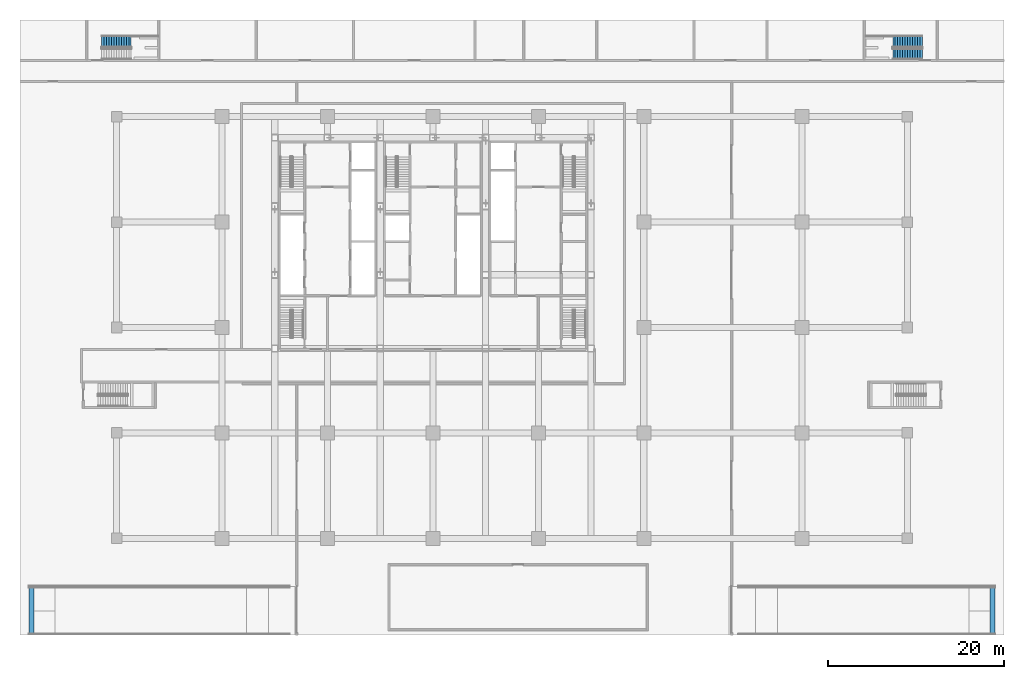
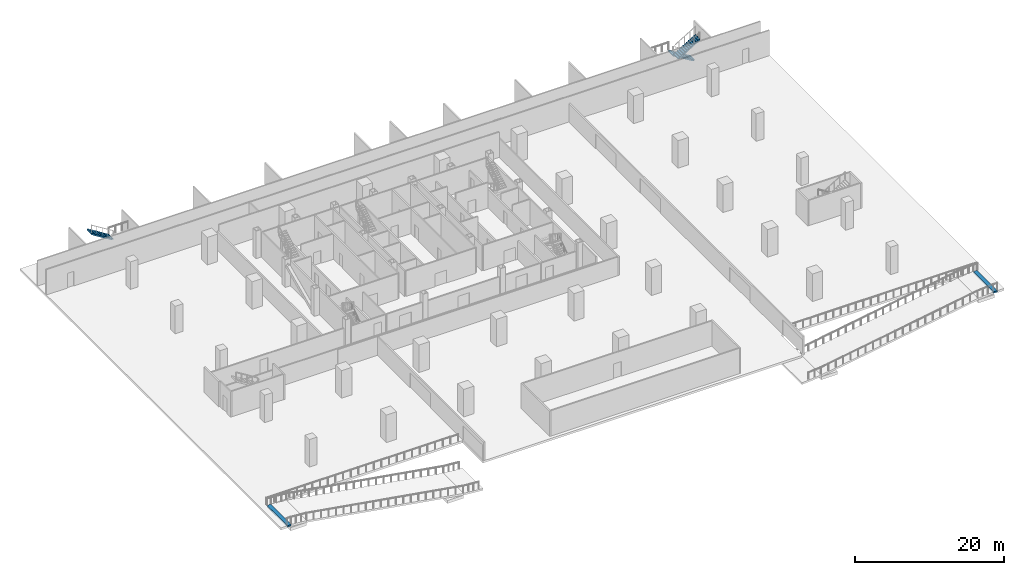
# One storey, part 11 of 15: 3 stair flights, 2 ramp flights, 4 elements without a shape of their own.
"""IFC4 building model written with IfcOpenShell, lengths in metres."""

from ifc_helpers import new_model, si_unit, direction, frame, origin, place, context, subcontext, project, spatial, polyline, outline, extrude, material, layer, layer_set, type_object, element, aggregate, save


model = new_model("IFC4")

# Units and contexts
model_context = context("Model", 3, precision=1e-05, world=origin(), true_north=direction((0.0, 1.0)))
body_context = subcontext(model_context, "Body", "Model", "MODEL_VIEW")
ifc_project = project(units=[si_unit("LENGTHUNIT", "METRE"), si_unit("AREAUNIT", "SQUARE_METRE"), si_unit("VOLUMEUNIT", "CUBIC_METRE"), si_unit("PLANEANGLEUNIT", "RADIAN"), si_unit("MASSUNIT", "GRAM", prefix="KILO")], contexts=[model_context])

# Site, building, storey
site_placement = place(None, origin())
site = spatial("IfcSite", under=ifc_project, at=site_placement, CompositionType="ELEMENT")
building_placement = place(site_placement, origin())
building = spatial("IfcBuilding", under=site, at=building_placement, Name="Sorahane Residences", CompositionType="ELEMENT")
storey_placement = place(building_placement, frame((0.0, 0.0, -9.0)))
storey = spatial("IfcBuildingStorey", under=building, at=storey_placement, Name="B2", CompositionType="ELEMENT", Elevation=-9.0)

# Stair, stair flight
ifc_material_1 = material(Name="Concrete C40", Category="concrete")
stair_type = type_object("IfcStairType", Name="Dog-leg stair 1250 Concrete C40", PredefinedType="HALF_TURN_STAIR", material=ifc_material_1)
stair_1_placement = place(storey_placement, origin())
stair_1 = element("IfcStair", 1, at=stair_1_placement, inside=storey, type_object=stair_type, Name="B2 Basement stair BS1", PredefinedType="HALF_TURN_STAIR")
ifc_material_2 = material(Name="Concrete C40", Category="concrete")
stair_flight_type = type_object("IfcStairFlightType", Name="Stair flight 1250 Concrete C40", PredefinedType="STRAIGHT", material=ifc_material_2)
stair_flight_1_placement = place(storey_placement, frame((-10.340087890625, 56.52490234375, 2.25), z_axis=(0.0, 0.0, 1.0), x_axis=(-1.0, 0.0, 0.0)))
stair_flight_1 = element("IfcStairFlight", 2, at=stair_flight_1_placement, type_object=stair_flight_type, Name="BS1 flight 2", NumberOfRisers=13, NumberOfTreads=12, PredefinedType="STRAIGHT", RiserHeight=0.173076923, TreadLength=0.28, context=body_context, shape_type="SweptSolid", body=[
    extrude(outline(polyline([(0.0, 0.0), (0.0, 0.173095703125), (0.280029296875, 0.173095703125), (0.280029296875, 0.34619140625), (0.56005859375, 0.34619140625), (0.56005859375, 0.519287109375), (0.840087890625, 0.519287109375), (0.840087890625, 0.6923828125), (1.1201171875, 0.6923828125), (1.1201171875, 0.865478515625), (1.39990234375, 0.865478515625), (1.39990234375, 1.03857421875), (1.679931640625, 1.03857421875), (1.679931640625, 1.21142578125), (1.9599609375, 1.21142578125), (1.9599609375, 1.384521484375), (2.239990234375, 1.384521484375), (2.239990234375, 1.5576171875), (2.52001953125, 1.5576171875), (2.52001953125, 1.730712890625), (2.800048828125, 1.730712890625), (2.800048828125, 1.90380859375), (3.080078125, 1.90380859375), (3.080078125, 2.076904296875), (3.360107421875, 2.076904296875), (3.360107421875, 2.25), (3.361572265625, 2.25), (3.361572265625, 1.900634765625), (3.141845703125, 1.764892578125), (2.922119140625, 1.629150390625), (2.702392578125, 1.493408203125), (2.482421875, 1.357666015625), (2.2626953125, 1.221923828125), (2.04296875, 1.086181640625), (1.8232421875, 0.950439453125), (1.603515625, 0.814697265625), (1.3837890625, 0.6787109375), (1.1640625, 0.54296875), (0.9443359375, 0.4072265625), (0.724609375, 0.271484375), (0.5048828125, 0.1357421875), (0.28515625, 0.0), (0.0, 0.0)])), frame((0.0, 0.625, 0.0), z_axis=(0.0, -1.0, 0.0), x_axis=(1.0, 0.0, 0.0)), (0.0, 0.0, 1.0), 1.25),
])
aggregate(stair_1, [stair_flight_1])

# Stair, stair flights
stair_2_placement = place(storey_placement, origin())
stair_2 = element("IfcStair", 3, at=stair_2_placement, inside=storey, type_object=stair_type, Name="B2 Basement stair BS2", PredefinedType="HALF_TURN_STAIR")
stair_flight_2_placement = place(storey_placement, frame((79.699951171875, 56.52490234375, 0.0), z_axis=(0.0, 0.0, 1.0), x_axis=(-1.0, 0.0, 0.0)))
stair_flight_2 = element("IfcStairFlight", 4, at=stair_flight_2_placement, type_object=stair_flight_type, Name="BS2 flight 1", NumberOfRisers=13, NumberOfTreads=12, PredefinedType="STRAIGHT", RiserHeight=0.173076923, TreadLength=0.28, context=body_context, shape_type="SweptSolid", body=[
    extrude(outline(polyline([(-0.00146484375, 0.0), (-0.00146484375, 0.173095703125), (0.0, 0.173095703125), (0.280029296875, 0.173095703125), (0.280029296875, 0.34619140625), (0.56005859375, 0.34619140625), (0.56005859375, 0.519287109375), (0.840087890625, 0.519287109375), (0.840087890625, 0.6923828125), (1.1201171875, 0.6923828125), (1.1201171875, 0.865478515625), (1.39990234375, 0.865478515625), (1.39990234375, 1.03857421875), (1.679931640625, 1.03857421875), (1.679931640625, 1.21142578125), (1.9599609375, 1.21142578125), (1.9599609375, 1.384521484375), (2.239990234375, 1.384521484375), (2.239990234375, 1.5576171875), (2.52001953125, 1.5576171875), (2.52001953125, 1.730712890625), (2.800048828125, 1.730712890625), (2.800048828125, 1.90380859375), (3.080078125, 1.90380859375), (3.080078125, 2.076904296875), (3.360107421875, 2.076904296875), (3.360107421875, 2.25), (3.360107421875, 1.900634765625), (3.140380859375, 1.764892578125), (2.920654296875, 1.629150390625), (2.701171875, 1.493408203125), (2.4814453125, 1.357666015625), (2.26171875, 1.221923828125), (2.042236328125, 1.086181640625), (1.822509765625, 0.950439453125), (1.60302734375, 0.814697265625), (1.38330078125, 0.6787109375), (1.16357421875, 0.54296875), (0.944091796875, 0.4072265625), (0.724365234375, 0.271484375), (0.504638671875, 0.1357421875), (0.28515625, 0.0), (-0.00146484375, 0.0)])), frame((0.0, 0.625, 0.0), z_axis=(0.0, -1.0, 0.0), x_axis=(1.0, 0.0, 0.0)), (0.0, 0.0, 1.0), 1.25),
])
stair_flight_3_placement = place(storey_placement, frame((76.340087890625, 55.125, 2.25), z_axis=(0.0, 0.0, 1.0), x_axis=(1.0, 0.0, 0.0)))
stair_flight_3 = element("IfcStairFlight", 5, at=stair_flight_3_placement, type_object=stair_flight_type, Name="BS2 flight 2", NumberOfRisers=13, NumberOfTreads=12, PredefinedType="STRAIGHT", RiserHeight=0.173076923, TreadLength=0.28, context=body_context, shape_type="SweptSolid", body=[
    extrude(outline(polyline([(0.0, 0.0), (0.0, 0.173095703125), (0.280029296875, 0.173095703125), (0.280029296875, 0.34619140625), (0.56005859375, 0.34619140625), (0.56005859375, 0.519287109375), (0.840087890625, 0.519287109375), (0.840087890625, 0.6923828125), (1.1201171875, 0.6923828125), (1.1201171875, 0.865478515625), (1.39990234375, 0.865478515625), (1.39990234375, 1.03857421875), (1.679931640625, 1.03857421875), (1.679931640625, 1.21142578125), (1.9599609375, 1.21142578125), (1.9599609375, 1.384521484375), (2.239990234375, 1.384521484375), (2.239990234375, 1.5576171875), (2.52001953125, 1.5576171875), (2.52001953125, 1.730712890625), (2.800048828125, 1.730712890625), (2.800048828125, 1.90380859375), (3.080078125, 1.90380859375), (3.080078125, 2.076904296875), (3.360107421875, 2.076904296875), (3.360107421875, 2.25), (3.361572265625, 2.25), (3.361572265625, 1.900634765625), (3.141845703125, 1.764892578125), (2.922119140625, 1.629150390625), (2.702392578125, 1.493408203125), (2.482421875, 1.357666015625), (2.2626953125, 1.221923828125), (2.04296875, 1.086181640625), (1.8232421875, 0.950439453125), (1.603515625, 0.814697265625), (1.3837890625, 0.6787109375), (1.1640625, 0.54296875), (0.9443359375, 0.4072265625), (0.724609375, 0.271484375), (0.5048828125, 0.1357421875), (0.28515625, 0.0), (0.0, 0.0)])), frame((0.0, 0.625, 0.0), z_axis=(0.0, -1.0, 0.0), x_axis=(1.0, 0.0, 0.0)), (0.0, 0.0, 1.0), 1.25),
])
aggregate(stair_2, [stair_flight_2, stair_flight_3])

# Ramp, ramp flight
ifc_material_3 = material(Name="Concrete C40", Category="concrete")
ifc_layer_1 = layer(ifc_material_3, 0.300048828125)
ifc_layer_set_1 = layer_set([ifc_layer_1], Name="Vehicle ramp 300 Concrete C40")
ramp_type = type_object("IfcRampType", Name="Vehicle ramp 300 Concrete C40", PredefinedType="STRAIGHT_RUN_RAMP", material=ifc_layer_set_1)
ramp_1_placement = place(storey_placement, origin())
ramp_1 = element("IfcRamp", 6, at=ramp_1_placement, inside=storey, type_object=ramp_type, Name="Vehicle ramp W B2 to B3", PredefinedType="STRAIGHT_RUN_RAMP")
ifc_material_4 = material(Name="Concrete C40", Category="concrete")
ifc_layer_2 = layer(ifc_material_4, 0.25)
ifc_layer_set_2 = layer_set([ifc_layer_2], Name="Vehicle ramp apron 250 Concrete C40")
ramp_flight_type = type_object("IfcRampFlightType", Name="Vehicle ramp apron 250 Concrete C40", PredefinedType="STRAIGHT", material=ifc_layer_set_2)
ramp_flight_1_placement = place(storey_placement, frame((-22.0, -11.0, 0.0), z_axis=(0.0, 0.0, 1.0), x_axis=(1.0, 0.0, 0.0)))
ramp_flight_1 = element("IfcRampFlight", 7, at=ramp_flight_1_placement, type_object=ramp_flight_type, Name="Ramp apron W B2", PredefinedType="STRAIGHT", context=body_context, shape_type="SweptSolid", body=[
    extrude(outline(polyline([(0.0, 0.0), (0.60009765625, 0.0), (0.60009765625, 5.5), (0.0, 5.5), (0.0, 0.0)])), origin(), (0.0, 0.0, -1.0), 0.25),
])
aggregate(ramp_1, [ramp_flight_1])

ramp_2_placement = place(storey_placement, origin())
ramp_2 = element("IfcRamp", 8, at=ramp_2_placement, inside=storey, type_object=ramp_type, Name="Vehicle ramp E B2 to B3", PredefinedType="STRAIGHT_RUN_RAMP")
ramp_flight_2_placement = place(storey_placement, frame((88.0, -11.0, 0.0), z_axis=(0.0, 0.0, 1.0), x_axis=(-1.0, 0.0, 0.0)))
ramp_flight_2 = element("IfcRampFlight", 9, at=ramp_flight_2_placement, type_object=ramp_flight_type, Name="Ramp apron E B2", PredefinedType="STRAIGHT", context=body_context, shape_type="SweptSolid", body=[
    extrude(outline(polyline([(0.0, 0.0), (0.60009765625, 0.0), (0.60009765625, -5.5), (0.0, -5.5), (0.0, 0.0)])), origin(), (0.0, 0.0, -1.0), 0.25),
])
aggregate(ramp_2, [ramp_flight_2])

save(model, "model.ifc")
